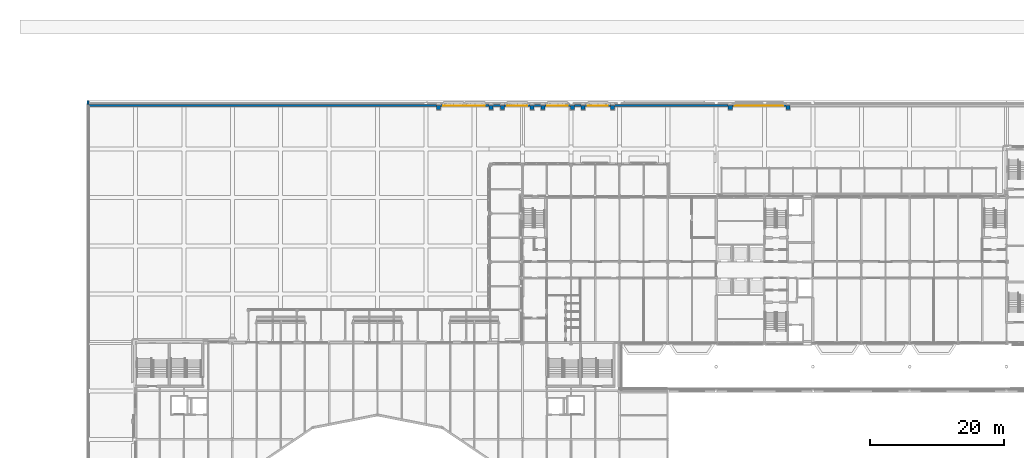
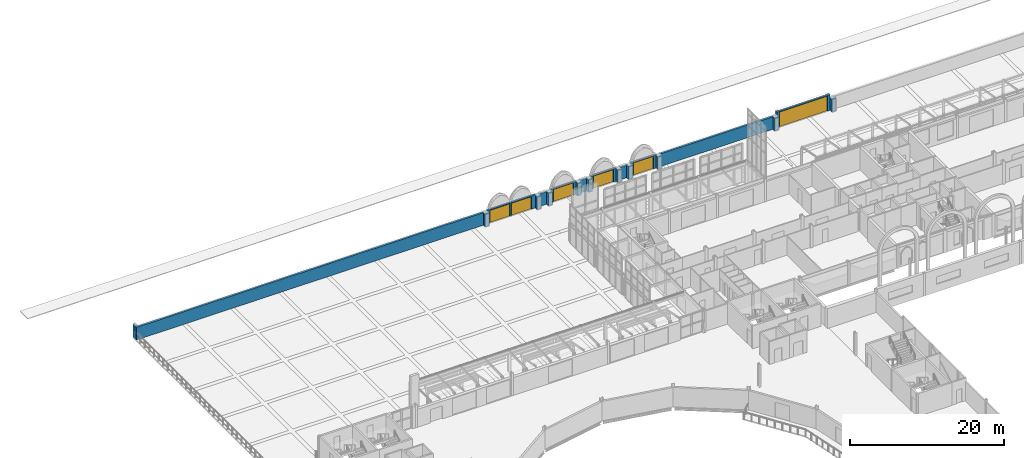
# One storey, part 85 of 143: 21 walls, 6 doors, 6 openings.
"""IFC4 building model written with IfcOpenShell, lengths in metres."""

from ifc_helpers import new_model, si_unit, direction, frame, frame_2d, origin, place, context, subcontext, project, spatial, rectangle, extrude, material, layer, layer_set, type_object, element, fill, save


model = new_model("IFC4")

# Units and contexts
model_context = context("Model", 3, precision=1e-05, world=origin(), true_north=direction((0.0, 1.0)))
body_context = subcontext(model_context, "Body", "Model", "MODEL_VIEW")
ifc_project = project(units=[si_unit("LENGTHUNIT", "METRE"), si_unit("AREAUNIT", "SQUARE_METRE"), si_unit("VOLUMEUNIT", "CUBIC_METRE"), si_unit("PLANEANGLEUNIT", "RADIAN"), si_unit("MASSUNIT", "GRAM", prefix="KILO")], contexts=[model_context])

# Site, building, storey
site_placement = place(None, origin())
site = spatial("IfcSite", under=ifc_project, at=site_placement, CompositionType="ELEMENT")
building_placement = place(site_placement, origin())
building = spatial("IfcBuilding", under=site, at=building_placement, Name="Kupolbacken Congress Centre", CompositionType="ELEMENT")
storey_placement = place(building_placement, frame((0.0, 0.0, 7.199951171875)))
storey = spatial("IfcBuildingStorey", under=building, at=storey_placement, Name="L02", CompositionType="ELEMENT", Elevation=7.199951171875)

# Wall
ifc_material_1 = material(Name="Brick", Category="masonry")
ifc_layer_1 = layer(ifc_material_1, 0.10791015625)
ifc_material_2 = material(Name="Concrete block", Category="masonry")
ifc_layer_2 = layer(ifc_material_2, 0.19189453125)
ifc_layer_set_1 = layer_set([ifc_layer_1, ifc_layer_2], Name="Brick / Concrete block")
wall_type_1 = type_object("IfcWallType", Name="BW1 boundary wall 300", PredefinedType="SOLIDWALL", material=ifc_layer_set_1)
wall_1_placement = place(storey_placement, frame((0.0009765625, 157.64990234375, 0.0), z_axis=(0.0, 0.0, 1.0), x_axis=(1.0, 0.0, 0.0)))
element("IfcWall", 1, at=wall_1_placement, inside=storey, type_object=wall_type_1, Name="Boundary wall upper 07", PredefinedType="SOLIDWALL", context=body_context, shape_type="SweptSolid", body=[
    extrude(rectangle(XDim=51.9990234375, YDim=0.300048828125, at=frame_2d((25.99951171875, 0.0))), origin(), (0.0, 0.0, 1.0), 2.0),
])

# Wall, openings, doors
wall_2_placement = place(storey_placement, frame((52.60009765625, 157.64990234375, 0.0), z_axis=(0.0, 0.0, 1.0), x_axis=(1.0, 0.0, 0.0)))
wall_2 = element("IfcWall", 2, at=wall_2_placement, inside=storey, type_object=wall_type_1, Name="Boundary wall at gate UG3", PredefinedType="SOLIDWALL", context=body_context, shape_type="SweptSolid", body=[
    extrude(rectangle(XDim=7.199951171875, YDim=0.300048828125, at=frame_2d((3.60009765625, 0.0))), origin(), (0.0, 0.0, 1.0), 2.10009765625),
])
opening_1_placement = place(wall_2_placement, frame((0.39990234375, 0.0, 0.0)))
opening_1 = element("IfcOpeningElement", 3, at=opening_1_placement, cuts=wall_2, Name="Opening D42", PredefinedType="OPENING", context=body_context, shape_type="SweptSolid", body=[
    extrude(rectangle(XDim=3.0, YDim=2.0, at=frame_2d((1.5, 1.0))), frame((0.0, 0.159912109375, 0.0), z_axis=(0.0, -1.0, 0.0), x_axis=(1.0, 0.0, 0.0)), (0.0, 0.0, 1.0), 0.320068359375),
])
opening_2_placement = place(wall_2_placement, frame((3.60009765625, 0.0, 0.0)))
opening_2 = element("IfcOpeningElement", 4, at=opening_2_placement, cuts=wall_2, Name="Opening D42", PredefinedType="OPENING", context=body_context, shape_type="SweptSolid", body=[
    extrude(rectangle(XDim=3.0, YDim=2.0, at=frame_2d((1.5, 1.0))), frame((0.0, 0.159912109375, 0.0), z_axis=(0.0, -1.0, 0.0), x_axis=(1.0, 0.0, 0.0)), (0.0, 0.0, 1.0), 0.320068359375),
])
ifc_material_3 = material(Name="Galvanised steel gate", Category="steel")
door_type_1 = type_object("IfcDoorType", Name="D42 pedestrian gate 3000x2000", OperationType="DOUBLE_DOOR_SINGLE_SWING", PredefinedType="GATE", material=ifc_material_3)
door_1_placement = place(opening_1_placement, origin())
door_1 = element("IfcDoor", 5, at=door_1_placement, inside=storey, type_object=door_type_1, Name="Boundary vehicle gate UG3 leaf A", OperationType="DOUBLE_DOOR_SINGLE_SWING", OverallHeight=2.0, OverallWidth=3.0, PredefinedType="GATE", context=body_context, shape_type="SweptSolid", body=[
    extrude(rectangle(XDim=3.0, YDim=2.0, at=frame_2d((1.5, 1.0))), frame((0.0, 0.02490234375, 0.0), z_axis=(0.0, -1.0, 0.0), x_axis=(1.0, 0.0, 0.0)), (0.0, 0.0, 1.0), 0.050048828125),
])
fill(opening_1, door_1)
door_2_placement = place(opening_2_placement, origin())
door_2 = element("IfcDoor", 6, at=door_2_placement, inside=storey, type_object=door_type_1, Name="Boundary vehicle gate UG3 leaf B", OperationType="DOUBLE_DOOR_SINGLE_SWING", OverallHeight=2.0, OverallWidth=3.0, PredefinedType="GATE", context=body_context, shape_type="SweptSolid", body=[
    extrude(rectangle(XDim=3.0, YDim=2.0, at=frame_2d((1.5, 1.0))), frame((0.0, 0.02490234375, 0.0), z_axis=(0.0, -1.0, 0.0), x_axis=(1.0, 0.0, 0.0)), (0.0, 0.0, 1.0), 0.050048828125),
])
fill(opening_2, door_2)

# Wall
wall_3_placement = place(storey_placement, frame((60.39990234375, 157.64990234375, 0.0), z_axis=(0.0, 0.0, 1.0), x_axis=(1.0, 0.0, 0.0)))
element("IfcWall", 7, at=wall_3_placement, inside=storey, type_object=wall_type_1, Name="Boundary wall upper 08", PredefinedType="SOLIDWALL", context=body_context, shape_type="SweptSolid", body=[
    extrude(rectangle(XDim=1.10009765625, YDim=0.300048828125, at=frame_2d((0.550048828125, 0.0))), origin(), (0.0, 0.0, 1.0), 2.0),
])

# Wall, opening, door
wall_4_placement = place(storey_placement, frame((62.10009765625, 157.64990234375, 0.0), z_axis=(0.0, 0.0, 1.0), x_axis=(1.0, 0.0, 0.0)))
wall_4 = element("IfcWall", 8, at=wall_4_placement, inside=storey, type_object=wall_type_1, Name="Boundary wall at gate UG2A", PredefinedType="SOLIDWALL", context=body_context, shape_type="SweptSolid", body=[
    extrude(rectangle(XDim=3.7998046875, YDim=0.300048828125, at=frame_2d((1.89990234375, 0.0))), origin(), (0.0, 0.0, 1.0), 2.10009765625),
])
opening_3_placement = place(wall_4_placement, frame((0.39990234375, 0.0, 0.0)))
opening_3 = element("IfcOpeningElement", 9, at=opening_3_placement, cuts=wall_4, Name="Opening D42", PredefinedType="OPENING", context=body_context, shape_type="SweptSolid", body=[
    extrude(rectangle(XDim=3.0, YDim=2.0, at=frame_2d((1.5, 1.0))), frame((0.0, 0.159912109375, 0.0), z_axis=(0.0, -1.0, 0.0), x_axis=(1.0, 0.0, 0.0)), (0.0, 0.0, 1.0), 0.320068359375),
])
door_3_placement = place(opening_3_placement, origin())
door_3 = element("IfcDoor", 10, at=door_3_placement, inside=storey, type_object=door_type_1, Name="Boundary pedestrian gate UG2A", OperationType="DOUBLE_DOOR_SINGLE_SWING", OverallHeight=2.0, OverallWidth=3.0, PredefinedType="GATE", context=body_context, shape_type="SweptSolid", body=[
    extrude(rectangle(XDim=3.0, YDim=2.0, at=frame_2d((1.5, 1.0))), frame((0.0, 0.02490234375, 0.0), z_axis=(0.0, -1.0, 0.0), x_axis=(1.0, 0.0, 0.0)), (0.0, 0.0, 1.0), 0.050048828125),
])
fill(opening_3, door_3)

# Wall
wall_5_placement = place(storey_placement, frame((66.5, 157.64990234375, 0.0), z_axis=(0.0, 0.0, 1.0), x_axis=(1.0, 0.0, 0.0)))
element("IfcWall", 11, at=wall_5_placement, inside=storey, type_object=wall_type_1, Name="Boundary wall upper 09", PredefinedType="SOLIDWALL", context=body_context, shape_type="SweptSolid", body=[
    extrude(rectangle(XDim=1.0, YDim=0.300048828125, at=frame_2d((0.5, 0.0))), origin(), (0.0, 0.0, 1.0), 2.0),
])

# Wall, opening, door
wall_6_placement = place(storey_placement, frame((68.10009765625, 157.64990234375, 0.0), z_axis=(0.0, 0.0, 1.0), x_axis=(1.0, 0.0, 0.0)))
wall_6 = element("IfcWall", 12, at=wall_6_placement, inside=storey, type_object=wall_type_1, Name="Boundary wall at gate UG2B", PredefinedType="SOLIDWALL", context=body_context, shape_type="SweptSolid", body=[
    extrude(rectangle(XDim=3.7998046875, YDim=0.300048828125, at=frame_2d((1.89990234375, 0.0))), origin(), (0.0, 0.0, 1.0), 2.10009765625),
])
opening_4_placement = place(wall_6_placement, frame((0.39990234375, 0.0, 0.0)))
opening_4 = element("IfcOpeningElement", 13, at=opening_4_placement, cuts=wall_6, Name="Opening D42", PredefinedType="OPENING", context=body_context, shape_type="SweptSolid", body=[
    extrude(rectangle(XDim=3.0, YDim=2.0, at=frame_2d((1.5, 1.0))), frame((0.0, 0.159912109375, 0.0), z_axis=(0.0, -1.0, 0.0), x_axis=(1.0, 0.0, 0.0)), (0.0, 0.0, 1.0), 0.320068359375),
])
door_4_placement = place(opening_4_placement, origin())
door_4 = element("IfcDoor", 14, at=door_4_placement, inside=storey, type_object=door_type_1, Name="Boundary pedestrian gate UG2B", OperationType="DOUBLE_DOOR_SINGLE_SWING", OverallHeight=2.0, OverallWidth=3.0, PredefinedType="GATE", context=body_context, shape_type="SweptSolid", body=[
    extrude(rectangle(XDim=3.0, YDim=2.0, at=frame_2d((1.5, 1.0))), frame((0.0, 0.02490234375, 0.0), z_axis=(0.0, -1.0, 0.0), x_axis=(1.0, 0.0, 0.0)), (0.0, 0.0, 1.0), 0.050048828125),
])
fill(opening_4, door_4)

# Wall
wall_7_placement = place(storey_placement, frame((72.5, 157.64990234375, 0.0), z_axis=(0.0, 0.0, 1.0), x_axis=(1.0, 0.0, 0.0)))
element("IfcWall", 15, at=wall_7_placement, inside=storey, type_object=wall_type_1, Name="Boundary wall upper 10", PredefinedType="SOLIDWALL", context=body_context, shape_type="SweptSolid", body=[
    extrude(rectangle(XDim=1.0, YDim=0.300048828125, at=frame_2d((0.5, 0.0))), origin(), (0.0, 0.0, 1.0), 2.0),
])

# Wall, opening, door
wall_8_placement = place(storey_placement, frame((74.10009765625, 157.64990234375, 0.0), z_axis=(0.0, 0.0, 1.0), x_axis=(1.0, 0.0, 0.0)))
wall_8 = element("IfcWall", 16, at=wall_8_placement, inside=storey, type_object=wall_type_1, Name="Boundary wall at gate UG2C", PredefinedType="SOLIDWALL", context=body_context, shape_type="SweptSolid", body=[
    extrude(rectangle(XDim=3.7998046875, YDim=0.300048828125, at=frame_2d((1.89990234375, 0.0))), origin(), (0.0, 0.0, 1.0), 2.10009765625),
])
opening_5_placement = place(wall_8_placement, frame((0.39990234375, 0.0, 0.0)))
opening_5 = element("IfcOpeningElement", 17, at=opening_5_placement, cuts=wall_8, Name="Opening D42", PredefinedType="OPENING", context=body_context, shape_type="SweptSolid", body=[
    extrude(rectangle(XDim=3.0, YDim=2.0, at=frame_2d((1.5, 1.0))), frame((0.0, 0.159912109375, 0.0), z_axis=(0.0, -1.0, 0.0), x_axis=(1.0, 0.0, 0.0)), (0.0, 0.0, 1.0), 0.320068359375),
])
door_5_placement = place(opening_5_placement, origin())
door_5 = element("IfcDoor", 18, at=door_5_placement, inside=storey, type_object=door_type_1, Name="Boundary pedestrian gate UG2C", OperationType="DOUBLE_DOOR_SINGLE_SWING", OverallHeight=2.0, OverallWidth=3.0, PredefinedType="GATE", context=body_context, shape_type="SweptSolid", body=[
    extrude(rectangle(XDim=3.0, YDim=2.0, at=frame_2d((1.5, 1.0))), frame((0.0, 0.02490234375, 0.0), z_axis=(0.0, -1.0, 0.0), x_axis=(1.0, 0.0, 0.0)), (0.0, 0.0, 1.0), 0.050048828125),
])
fill(opening_5, door_5)

# Wall
wall_9_placement = place(storey_placement, frame((78.5, 157.64990234375, 0.0), z_axis=(0.0, 0.0, 1.0), x_axis=(1.0, 0.0, 0.0)))
element("IfcWall", 19, at=wall_9_placement, inside=storey, type_object=wall_type_1, Name="Boundary wall upper 11", PredefinedType="SOLIDWALL", context=body_context, shape_type="SweptSolid", body=[
    extrude(rectangle(XDim=16.89990234375, YDim=0.300048828125, at=frame_2d((8.449951171875, 0.0))), origin(), (0.0, 0.0, 1.0), 2.0),
])

# Wall, opening, door
wall_10_placement = place(storey_placement, frame((96.0, 157.64990234375, 0.0), z_axis=(0.0, 0.0, 1.0), x_axis=(1.0, 0.0, 0.0)))
wall_10 = element("IfcWall", 20, at=wall_10_placement, inside=storey, type_object=wall_type_1, Name="Boundary wall at gate UG1", PredefinedType="SOLIDWALL", context=body_context, shape_type="SweptSolid", body=[
    extrude(rectangle(XDim=8.0, YDim=0.300048828125, at=frame_2d((4.0, 0.0))), origin(), (0.0, 0.0, 1.0), 2.5),
])
opening_6_placement = place(wall_10_placement, frame((0.39990234375, 0.0, 0.0)))
opening_6 = element("IfcOpeningElement", 21, at=opening_6_placement, cuts=wall_10, Name="Opening D41", PredefinedType="OPENING", context=body_context, shape_type="SweptSolid", body=[
    extrude(rectangle(XDim=7.199951171875, YDim=2.39990234375, at=frame_2d((3.60009765625, 1.199951171875))), frame((0.0, 0.159912109375, 0.0), z_axis=(0.0, -1.0, 0.0), x_axis=(1.0, 0.0, 0.0)), (0.0, 0.0, 1.0), 0.320068359375),
])
ifc_material_4 = material(Name="Galvanised steel gate", Category="steel")
door_type_2 = type_object("IfcDoorType", Name="D41 vehicle gate 7200x2400", OperationType="DOUBLE_DOOR_SINGLE_SWING", PredefinedType="GATE", material=ifc_material_4)
door_6_placement = place(opening_6_placement, origin())
door_6 = element("IfcDoor", 22, at=door_6_placement, inside=storey, type_object=door_type_2, Name="Boundary vehicle opening UG1", OperationType="DOUBLE_DOOR_SINGLE_SWING", OverallHeight=2.39990234375, OverallWidth=7.199951171875, PredefinedType="GATE", context=body_context, shape_type="SweptSolid", body=[
    extrude(rectangle(XDim=7.199951171875, YDim=2.39990234375, at=frame_2d((3.60009765625, 1.199951171875))), frame((0.0, 0.02490234375, 0.0), z_axis=(0.0, -1.0, 0.0), x_axis=(1.0, 0.0, 0.0)), (0.0, 0.0, 1.0), 0.050048828125),
])
fill(opening_6, door_6)

# Walls
wall_11_placement = place(storey_placement, frame((0.15087890625, 157.800048828125, 0.0), z_axis=(0.0, 0.0, 1.0), x_axis=(0.0, 1.0, 0.0)))
element("IfcWall", 23, at=wall_11_placement, inside=storey, type_object=wall_type_1, Name="Boundary wall return west", PredefinedType="SOLIDWALL", context=body_context, shape_type="SweptSolid", body=[
    extrude(rectangle(XDim=0.598876953125, YDim=0.300048828125, at=frame_2d((0.29931640625, 0.0))), origin(), (0.0, 0.0, 1.0), 2.0),
])
ifc_layer_3 = layer(ifc_material_1, 0.10791015625)
ifc_layer_4 = layer(ifc_material_2, 0.491943359375)
ifc_layer_set_2 = layer_set([ifc_layer_3, ifc_layer_4], Name="Brick / Concrete block")
wall_type_2 = type_object("IfcWallType", Name="GP1 gate pier 600", PredefinedType="SOLIDWALL", material=ifc_layer_set_2)
wall_12_placement = place(storey_placement, frame((52.60009765625, 157.3798828125, 0.0), z_axis=(0.0, 0.0, 1.0), x_axis=(-1.0, 0.0, 0.0)))
element("IfcWall", 24, at=wall_12_placement, inside=storey, type_object=wall_type_2, Name="Boundary gate pier 10", PredefinedType="SOLIDWALL", context=body_context, shape_type="SweptSolid", body=[
    extrude(rectangle(XDim=0.60009765625, YDim=0.60009765625, at=frame_2d((0.300048828125, 0.0))), origin(), (0.0, 0.0, 1.0), 2.0),
])
wall_13_placement = place(storey_placement, frame((59.800048828125, 157.3798828125, 0.0), z_axis=(0.0, 0.0, 1.0), x_axis=(1.0, 0.0, 0.0)))
element("IfcWall", 25, at=wall_13_placement, inside=storey, type_object=wall_type_2, Name="Boundary gate pier 11", PredefinedType="SOLIDWALL", context=body_context, shape_type="SweptSolid", body=[
    extrude(rectangle(XDim=0.599853515625, YDim=0.60009765625, at=frame_2d((0.2998046875, 0.0))), origin(), (0.0, 0.0, 1.0), 2.0),
])
for number, where, z_axis, x_axis, name in (
    (26, (62.10009765625, 157.3798828125, 0.0), (0.0, 0.0, 1.0), (-1.0, 0.0, 0.0), "Boundary gate pier 12"),
    (27, (65.89990234375, 157.3798828125, 0.0), (0.0, 0.0, 1.0), (1.0, 0.0, 0.0), "Boundary gate pier 13"),
    (28, (68.10009765625, 157.3798828125, 0.0), (0.0, 0.0, 1.0), (-1.0, 0.0, 0.0), "Boundary gate pier 14"),
    (29, (71.89990234375, 157.3798828125, 0.0), (0.0, 0.0, 1.0), (1.0, 0.0, 0.0), "Boundary gate pier 15"),
    (30, (74.10009765625, 157.3798828125, 0.0), (0.0, 0.0, 1.0), (-1.0, 0.0, 0.0), "Boundary gate pier 16"),
    (31, (77.89990234375, 157.3798828125, 0.0), (0.0, 0.0, 1.0), (1.0, 0.0, 0.0), "Boundary gate pier 17"),
    (32, (96.0, 157.3798828125, 0.0), (0.0, 0.0, 1.0), (-1.0, 0.0, 0.0), "Boundary gate pier 18"),
    (33, (104.0, 157.3798828125, 0.0), (0.0, 0.0, 1.0), (1.0, 0.0, 0.0), "Boundary gate pier 19"),
):
    element("IfcWall", number, at=place(storey_placement, frame(where, z_axis=z_axis, x_axis=x_axis)), inside=storey, type_object=wall_type_2, Name=name, PredefinedType="SOLIDWALL", context=body_context, shape_type="SweptSolid", body=[
        extrude(rectangle(XDim=0.60009765625, YDim=0.60009765625, at=frame_2d((0.300048828125, 0.0))), origin(), (0.0, 0.0, 1.0), 2.0),
    ])

save(model, "model.ifc")
